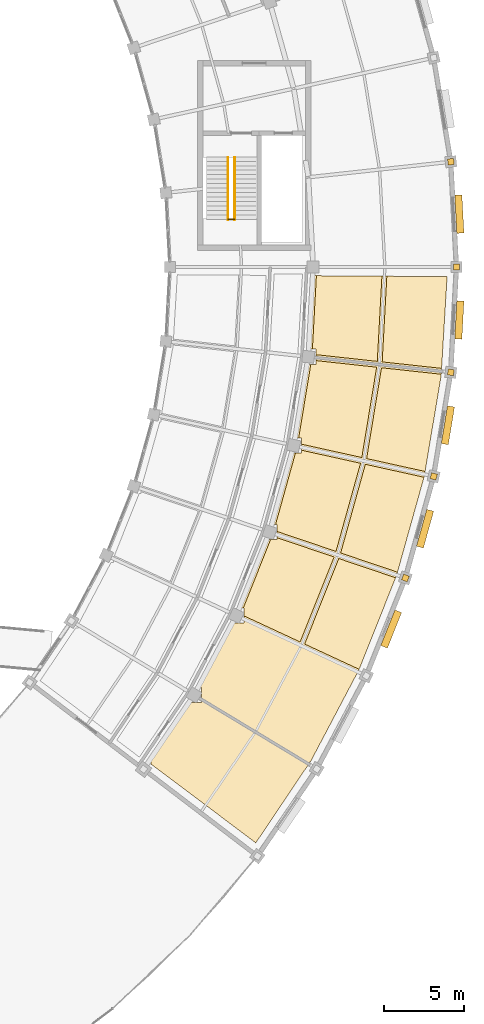
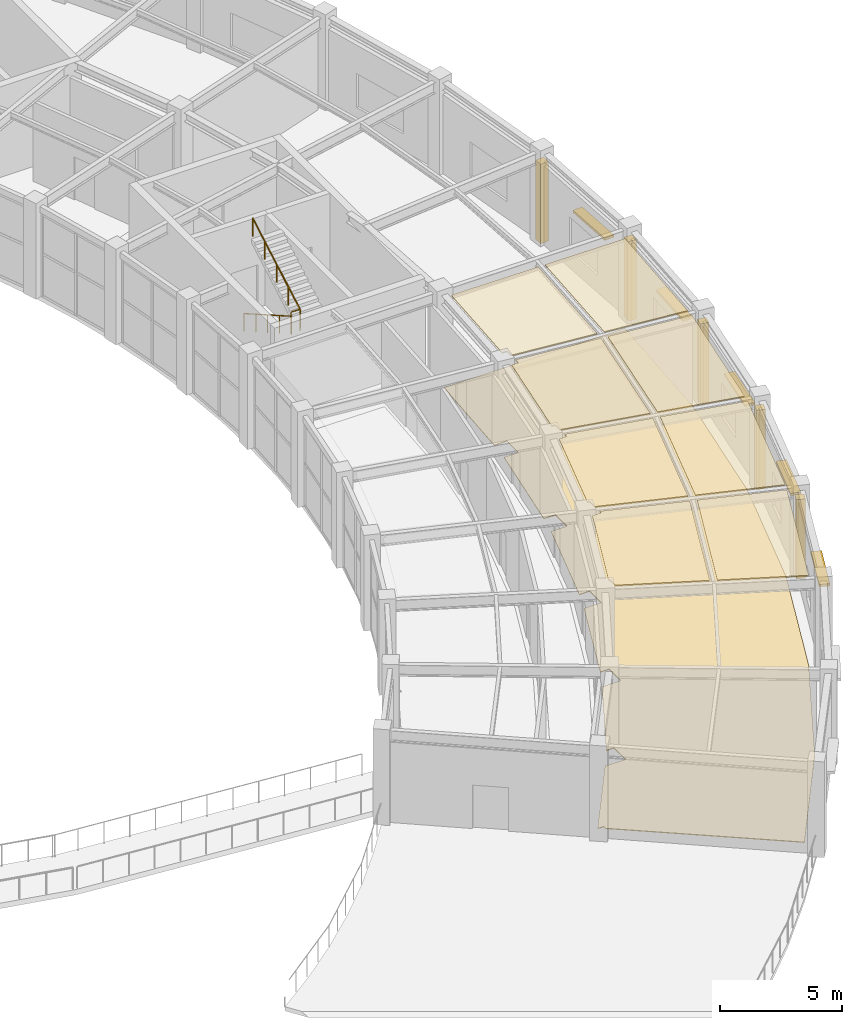
# One storey, part 98 of 100: 14 coverings, 5 shading devices, 3 railings.
"""IFC4 building model written with IfcOpenShell, lengths in metres."""

from ifc_helpers import new_model, si_unit, direction, frame, origin, origin_2d, place, context, subcontext, project, spatial, polyline, rectangle, circle, outline, extrude, material, layer, layer_set, type_object, element, save


model = new_model("IFC4")

# Units and contexts
model_context = context("Model", 3, precision=1e-05, world=origin(), true_north=direction((0.0, 1.0)))
body_context = subcontext(model_context, "Body", "Model", "MODEL_VIEW")
ifc_project = project(units=[si_unit("LENGTHUNIT", "METRE"), si_unit("AREAUNIT", "SQUARE_METRE"), si_unit("VOLUMEUNIT", "CUBIC_METRE"), si_unit("PLANEANGLEUNIT", "RADIAN"), si_unit("MASSUNIT", "GRAM", prefix="KILO")], contexts=[model_context])

# Site, building, storey
site_placement = place(None, origin())
site = spatial("IfcSite", under=ifc_project, at=site_placement, CompositionType="ELEMENT")
building_placement = place(site_placement, origin())
building = spatial("IfcBuilding", under=site, at=building_placement, Name="Tarnveldt Headland Concert Hall", CompositionType="ELEMENT")
storey_placement = place(building_placement, frame((0.0, 0.0, 4.800048828125)))
storey = spatial("IfcBuildingStorey", under=building, at=storey_placement, Name="L01", CompositionType="ELEMENT", Elevation=4.800048828125)

# Coverings
ifc_material_1 = material(Name="Micro-perforated mvule acoustic ceiling panel", Category="timber")
ifc_layer_1 = layer(ifc_material_1, 0.050048828125, Name="Micro-perforated mvule acoustic ceiling panel", Category="timber")
ifc_layer_set_1 = layer_set([ifc_layer_1], Name="Micro-perforated mvule acoustic ceiling panel")
covering_type_1 = type_object("IfcCoveringType", Name="CV-CEIL50", PredefinedType="CEILING", material=ifc_layer_set_1)
covering_1_placement = place(storey_placement, frame((0.0, 0.0, 4.489990234375)))
element("IfcCovering", 1, at=covering_1_placement, inside=storey, type_object=covering_type_1, Name="Acoustic mvule ceiling L01-39-232", PredefinedType="CEILING", context=body_context, shape_type="SweptSolid", body=[
    extrude(outline(polyline([(173.83154296875, 54.04443359375), (174.1240234375, 59.4248046875), (177.907470703125, 59.398193359375), (177.560791015625, 53.6376953125), (173.83154296875, 54.04443359375)])), origin(), (0.0, 0.0, 1.0), 0.050048828125),
])
covering_2_placement = place(storey_placement, frame((0.0, 0.0, 4.489990234375)))
element("IfcCovering", 2, at=covering_2_placement, inside=storey, type_object=covering_type_1, Name="Acoustic mvule ceiling L01-39-233", PredefinedType="CEILING", context=body_context, shape_type="SweptSolid", body=[
    extrude(outline(polyline([(169.668701171875, 54.839111328125), (169.449951171875, 54.839111328125), (169.70068359375, 59.45556640625), (173.813720703125, 59.4267578125), (173.52294921875, 54.078125), (169.668701171875, 54.498291015625), (169.668701171875, 54.839111328125)])), origin(), (0.0, 0.0, 1.0), 0.050048828125),
])
covering_3_placement = place(storey_placement, frame((0.0, 0.0, 4.489990234375)))
element("IfcCovering", 3, at=covering_3_placement, inside=storey, type_object=covering_type_1, Name="Acoustic mvule ceiling L01-39-234", PredefinedType="CEILING", context=body_context, shape_type="SweptSolid", body=[
    extrude(outline(polyline([(173.79150390625, 53.676513671875), (177.53857421875, 53.26806640625), (177.53271484375, 53.172119140625), (176.523681640625, 47.164306640625), (172.854248046875, 47.97412109375), (173.79150390625, 53.676513671875)])), origin(), (0.0, 0.0, 1.0), 0.050048828125),
])
covering_4_placement = place(storey_placement, frame((0.0, 0.0, 4.489990234375)))
element("IfcCovering", 4, at=covering_4_placement, inside=storey, type_object=covering_type_1, Name="Acoustic mvule ceiling L01-39-235", PredefinedType="CEILING", context=body_context, shape_type="SweptSolid", body=[
    extrude(outline(polyline([(168.58935546875, 49.269287109375), (169.3486328125, 53.888916015625), (169.668701171875, 53.888916015625), (169.668701171875, 54.126220703125), (173.48291015625, 53.710205078125), (172.551025390625, 48.041015625), (168.75341796875, 48.879150390625), (168.75341796875, 49.269287109375), (168.58935546875, 49.269287109375)])), origin(), (0.0, 0.0, 1.0), 0.050048828125),
])
covering_5_placement = place(storey_placement, frame((0.0, 0.0, 4.489990234375)))
element("IfcCovering", 5, at=covering_5_placement, inside=storey, type_object=covering_type_1, Name="Acoustic mvule ceiling L01-39-236", PredefinedType="CEILING", context=body_context, shape_type="SweptSolid", body=[
    extrude(outline(polyline([(172.7744140625, 47.61279296875), (176.457763671875, 46.7998046875), (174.791259765625, 40.84033203125), (171.224609375, 42.04541015625), (172.7744140625, 47.61279296875)])), origin(), (0.0, 0.0, 1.0), 0.050048828125),
])
covering_6_placement = place(storey_placement, frame((0.0, 0.0, 4.489990234375)))
element("IfcCovering", 6, at=covering_6_placement, inside=storey, type_object=covering_type_1, Name="Acoustic mvule ceiling L01-39-237", PredefinedType="CEILING", context=body_context, shape_type="SweptSolid", body=[
    extrude(outline(polyline([(168.75341796875, 48.500244140625), (172.47119140625, 47.6796875), (170.930419921875, 42.144775390625), (167.239501953125, 43.3916015625), (167.239501953125, 43.831787109375), (167.135498046875, 43.831787109375), (168.384765625, 48.3193359375), (168.75341796875, 48.3193359375), (168.75341796875, 48.500244140625)])), origin(), (0.0, 0.0, 1.0), 0.050048828125),
])
covering_7_placement = place(storey_placement, frame((0.0, 0.0, 4.489990234375)))
element("IfcCovering", 7, at=covering_7_placement, inside=storey, type_object=covering_type_1, Name="Acoustic mvule ceiling L01-39-238", PredefinedType="CEILING", context=body_context, shape_type="SweptSolid", body=[
    extrude(outline(polyline([(172.384765625, 34.7431640625), (172.3837890625, 34.74072265625), (168.962158203125, 36.328125), (171.106201171875, 41.69482421875), (174.6728515625, 40.48974609375), (172.3984375, 34.777587890625), (172.384765625, 34.777587890625), (172.384765625, 34.7431640625)])), origin(), (0.0, 0.0, 1.0), 0.050048828125),
])
covering_8_placement = place(storey_placement, frame((0.0, 0.0, 4.489990234375)))
element("IfcCovering", 8, at=covering_8_placement, inside=storey, type_object=covering_type_1, Name="Acoustic mvule ceiling L01-39-239", PredefinedType="CEILING", context=body_context, shape_type="SweptSolid", body=[
    extrude(outline(polyline([(165.1455078125, 38.098876953125), (165.1455078125, 38.59033203125), (165.10791015625, 38.59033203125), (166.822509765625, 42.8818359375), (167.239501953125, 42.8818359375), (167.239501953125, 43.0009765625), (170.81201171875, 41.794189453125), (168.6806640625, 36.458740234375), (165.1455078125, 38.098876953125)])), origin(), (0.0, 0.0, 1.0), 0.050048828125),
])
ifc_material_2 = material(Name="Polished coral-aggregate cementitious terrazzo flooring", Category="concrete")
ifc_layer_2 = layer(ifc_material_2, 0.034912109375, Name="Polished coral-aggregate cementitious terrazzo flooring", Category="concrete")
ifc_layer_set_2 = layer_set([ifc_layer_2], Name="Polished coral-aggregate cementitious terrazzo flooring")
covering_type_2 = type_object("IfcCoveringType", Name="CV-FLOR35", PredefinedType="FLOORING", material=ifc_layer_set_2)
covering_9_placement = place(storey_placement, origin())
element("IfcCovering", 9, at=covering_9_placement, inside=storey, type_object=covering_type_2, Name="Architectural flooring L01-39-65", PredefinedType="FLOORING", context=body_context, shape_type="SweptSolid", body=[
    extrude(outline(polyline([(162.12841796875, 33.606689453125), (164.255126953125, 37.640380859375), (165.1455078125, 37.640380859375), (165.1455078125, 38.59033203125), (164.716552734375, 38.59033203125), (166.42529296875, 42.8818359375), (167.239501953125, 42.8818359375), (167.239501953125, 43.831787109375), (166.752685546875, 43.831787109375), (168.00732421875, 48.3193359375), (168.75341796875, 48.3193359375), (168.75341796875, 49.269287109375), (168.210205078125, 49.269287109375), (168.986083984375, 53.888916015625), (169.668701171875, 53.888916015625), (169.668701171875, 54.839111328125), (169.070068359375, 54.839111328125), (169.34814453125, 59.4580078125), (177.907470703125, 59.398193359375), (177.53271484375, 53.172119140625), (176.4697265625, 46.8427734375), (174.741455078125, 40.662109375), (172.3984375, 34.777587890625), (172.384765625, 34.777587890625), (172.384765625, 34.7431640625), (172.3671875, 34.699462890625), (169.3740234375, 29.022216796875), (169.31298828125, 28.931396484375), (169.276123046875, 28.931396484375), (169.276123046875, 28.87646484375), (165.89599609375, 23.84423828125), (159.3212890625, 28.78662109375), (159.3212890625, 28.939453125), (159.1181640625, 28.939453125), (159.05419921875, 28.987548828125), (161.545654296875, 32.69677734375), (161.545654296875, 32.656494140625), (162.49560546875, 32.656494140625), (162.49560546875, 33.606689453125), (162.12841796875, 33.606689453125)])), origin(), (0.0, 0.0, 1.0), 0.034912109375),
])
ifc_material_3 = material(Name="Coral-toned precast concrete C40/50", Category="concrete")
ifc_layer_3 = layer(ifc_material_3, 0.360107421875, Name="Coral-toned precast concrete C40/50", Category="concrete")
ifc_layer_set_3 = layer_set([ifc_layer_3], Name="Coral-toned precast concrete C40/50")
covering_type_3 = type_object("IfcCoveringType", Name="CV-JNT360", PredefinedType="CLADDING", material=ifc_layer_set_3)
for number, where, z_axis, x_axis, name in (
    (10, (175.291259765625, 40.476318359375, 0.0), (0.0, 0.0, 1.0), (-0.371043710237, -0.928615402141, 0.0), "Precast facade joint closure pilaster L01-240"),
    (11, (177.06689453125, 46.85498046875, 0.0), (0.0, 0.0, 1.0), (-0.268079200424, -0.963396876837, 0.0), "Precast facade joint closure pilaster L01-242"),
    (12, (178.140625, 53.388427734375, 0.0), (0.0, 0.0, 1.0), (-0.162120515372, -0.986770965572, 0.0), "Precast facade joint closure pilaster L01-244"),
    (13, (178.140625, 66.611572265625, 0.0), (0.0, 0.0, 1.0), (0.054253089686, -0.998527216584, 0.0), "Precast facade joint closure pilaster L01-245"),
    (14, (178.5, 60.0, 0.0), (0.0, 0.0, 1.0), (-0.054253089686, -0.998527216584, 0.0), "Precast facade joint closure pilaster L01-246"),
):
    element("IfcCovering", number, at=place(storey_placement, frame(where, z_axis=z_axis, x_axis=x_axis)), inside=storey, type_object=covering_type_3, Name=name, PredefinedType="CLADDING", context=body_context, shape_type="SweptSolid", body=[
        extrude(rectangle(XDim=0.3798828125, YDim=0.3798828125, at=origin_2d()), origin(), (0.0, 0.0, 1.0), 3.97802734375),
    ])

# Railings
ifc_material_4 = material(Name="Marine stainless steel", Category="steel")
ifc_layer_4 = layer(ifc_material_4, 0.06005859375, Name="Marine stainless steel", Category="steel")
ifc_layer_set_4 = layer_set([ifc_layer_4], Name="Marine stainless steel")
railing_type_1 = type_object("IfcRailingType", Name="RL-GRD110", PredefinedType="GUARDRAIL", material=ifc_layer_set_4)
railing_1_placement = place(storey_placement, frame((164.14990234375, 63.0, 2.39990234375)))
element("IfcRailing", 15, at=railing_1_placement, inside=storey, type_object=railing_type_1, Name="GUARD STR-C4-L01 half-landing well", PredefinedType="GUARDRAIL", context=body_context, shape_type="SweptSolid", body=[
    extrude(circle(Radius=0.02392578125, at=origin_2d()), frame((0.0, 0.0, 1.076171875), z_axis=(1.0, 0.0, 0.0), x_axis=(0.0, 1.0, 0.0)), (0.0, 0.0, 1.0), 0.420166015625),
    extrude(circle(Radius=0.02099609375, at=origin_2d()), origin(), (0.0, 0.0, 1.0), 1.052001953125),
    extrude(circle(Radius=0.02099609375, at=origin_2d()), frame((0.420166015625, 0.0, 0.0)), (0.0, 0.0, 1.0), 1.052001953125),
])
ifc_layer_5 = layer(ifc_material_4, 0.048095703125, Name="Marine stainless steel", Category="steel")
ifc_layer_set_5 = layer_set([ifc_layer_5], Name="Marine stainless steel")
railing_type_2 = type_object("IfcRailingType", Name="RL-HND092", PredefinedType="HANDRAIL", material=ifc_layer_set_5)
railing_2_placement = place(storey_placement, frame((164.14990234375, 66.8798828125, 0.159912109375)))
element("IfcRailing", 16, at=railing_2_placement, inside=storey, type_object=railing_type_2, Name="HANDRAIL STR-C4-L01 flight 1", PredefinedType="HANDRAIL", context=body_context, shape_type="SweptSolid", body=[
    extrude(circle(Radius=0.02392578125, at=origin_2d()), frame((0.0, 0.0, 0.89599609375), z_axis=(0.0, -0.868239814368, 0.496144761885), x_axis=(1.0, 0.0, 0.0)), (0.0, 0.0, 1.0), 4.514892578125),
    extrude(circle(Radius=0.02099609375, at=origin_2d()), origin(), (0.0, 0.0, 1.0), 0.871826171875),
    extrude(circle(Radius=0.02099609375, at=origin_2d()), frame((0.0, -0.97998046875, 0.56005859375)), (0.0, 0.0, 1.0), 0.871826171875),
    extrude(circle(Radius=0.02099609375, at=origin_2d()), frame((0.0, -1.9599609375, 1.1201171875)), (0.0, 0.0, 1.0), 0.871826171875),
    extrude(circle(Radius=0.02099609375, at=origin_2d()), frame((0.0, -2.93994140625, 1.679931640625)), (0.0, 0.0, 1.0), 0.871826171875),
    extrude(circle(Radius=0.02099609375, at=origin_2d()), frame((0.0, -3.919921875, 2.239990234375)), (0.0, 0.0, 1.0), 0.871826171875),
])
railing_3_placement = place(storey_placement, frame((164.570068359375, 62.9599609375, 2.56005859375)))
element("IfcRailing", 17, at=railing_3_placement, inside=storey, type_object=railing_type_2, Name="HANDRAIL STR-C4-L01 flight 2", PredefinedType="HANDRAIL", context=body_context, shape_type="SweptSolid", body=[
    extrude(circle(Radius=0.02392578125, at=origin_2d()), frame((0.0, 0.0, 0.89599609375), z_axis=(0.0, 0.868239814368, 0.496144761885), x_axis=(-1.0, 0.0, 0.0)), (0.0, 0.0, 1.0), 4.514892578125),
    extrude(circle(Radius=0.02099609375, at=origin_2d()), origin(), (0.0, 0.0, 1.0), 0.871826171875),
    extrude(circle(Radius=0.02099609375, at=origin_2d()), frame((0.0, 0.97998046875, 0.56005859375)), (0.0, 0.0, 1.0), 0.871826171875),
    extrude(circle(Radius=0.02099609375, at=origin_2d()), frame((0.0, 1.9599609375, 1.1201171875)), (0.0, 0.0, 1.0), 0.871826171875),
    extrude(circle(Radius=0.02099609375, at=origin_2d()), frame((0.0, 2.93994140625, 1.679931640625)), (0.0, 0.0, 1.0), 0.871826171875),
    extrude(circle(Radius=0.02099609375, at=origin_2d()), frame((0.0, 3.919921875, 2.239990234375)), (0.0, 0.0, 1.0), 0.871826171875),
])

# Shading devices
ifc_material_5 = material(Name="Terracotta-anodised aluminium EN AW-6063-T6", Category="masonry")
shading_device_type = type_object("IfcShadingDeviceType", Name="SD-LVR450", PredefinedType="USERDEFINED", material=ifc_material_5)
for number, where, z_axis, x_axis, name in (
    (18, (174.39501953125, 37.269287109375, 2.56982421875), (0.0, 0.0, 1.0), (0.928615402141, -0.371043710237, 0.0), "Crescent coastal solar louvre L01-6"),
    (19, (176.5234375, 43.569580078125, 2.56982421875), (0.0, 0.0, 1.0), (0.963350073517, -0.268247340815, 0.0), "Crescent coastal solar louvre L01-7"),
    (20, (177.95654296875, 50.063720703125, 2.56982421875), (0.0, 0.0, 1.0), (0.986770965572, -0.162120515372, 0.0), "Crescent coastal solar louvre L01-8"),
    (21, (178.67724609375, 56.6748046875, 2.56982421875), (0.0, 0.0, 1.0), (0.998527216584, -0.054253089686, 0.0), "Crescent coastal solar louvre L01-9"),
    (22, (178.67724609375, 63.3251953125, 2.56982421875), (0.0, 0.0, 1.0), (0.998527216584, 0.054253089686, 0.0), "Crescent coastal solar louvre L01-10"),
):
    element("IfcShadingDevice", number, at=place(storey_placement, frame(where, z_axis=z_axis, x_axis=x_axis)), inside=storey, type_object=shading_device_type, Name=name, ObjectType="LOUVRE", PredefinedType="USERDEFINED", context=body_context, shape_type="SweptSolid", body=[
        extrude(rectangle(XDim=0.449951171875, YDim=2.39990234375, at=origin_2d()), origin(), (0.0, 0.0, 1.0), 0.1201171875),
    ])

save(model, "model.ifc")
